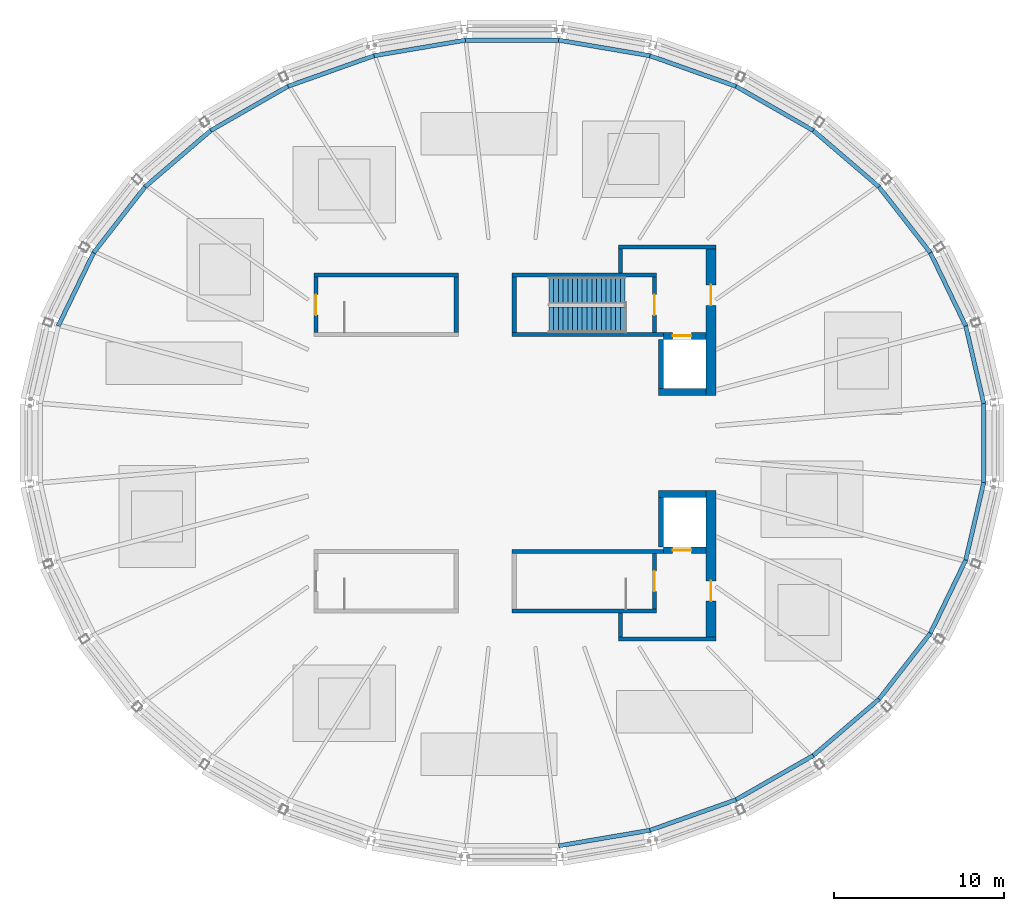
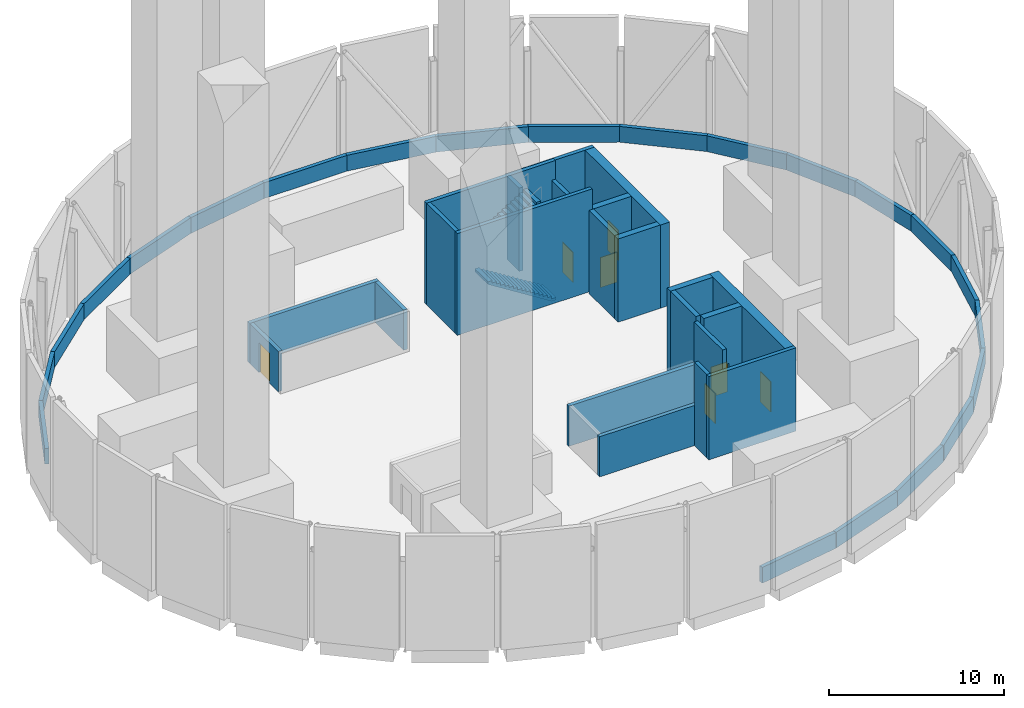
# One storey, part 5 of 7: 44 walls, 7 doors, 2 stair flights, 7 openings, 1 element without a shape of its own.
"""IFC4 building model written with IfcOpenShell, lengths in metres."""

import ifcopenshell
import ifcopenshell.guid

model = None  # the IFC model being written
_history = None  # IfcOwnerHistory: only IFC2X3 demands one
_inside = {}  # id of a spatial element -> (the spatial element, [elements in it])
_under = {}  # id of a project, library or spatial element -> (it, [spatial elements below it])
_declared = {}  # id of a project -> (the project, [libraries it declares])
_typed = {}  # id of a type object -> (the type object, [elements of that type])
_made_of = {}  # id of a material, layer set ... -> (it, [elements and type objects made of it])


def new_model(schema):
    """Start an empty IFC model of exactly this schema.

    Asked for "IFC4X3", IfcOpenShell would pick the latest addendum, in which some entities
    have other attributes; the version numbers below select the first issue.
    IFC2X3 requires an IfcOwnerHistory on every rooted entity: one is made here for all.
    """
    global model, _history
    if schema == "IFC4X3":
        model = ifcopenshell.file(schema_version=(4, 3, 0, 0))
    else:
        model = ifcopenshell.file(schema=schema)
    _inside.clear()
    _under.clear()
    _declared.clear()
    _typed.clear()
    _made_of.clear()
    _history = None
    if model.schema == "IFC2X3":
        org = make("IfcOrganization", Name="unknown")
        user = make(
            "IfcPersonAndOrganization",
            ThePerson=make("IfcPerson", FamilyName="unknown"),
            TheOrganization=org,
        )
        app = make(
            "IfcApplication",
            ApplicationDeveloper=org,
            Version="unknown",
            ApplicationFullName="unknown",
            ApplicationIdentifier="unknown",
        )
        _history = make(
            "IfcOwnerHistory",
            OwningUser=user,
            OwningApplication=app,
            ChangeAction="ADDED",
            CreationDate=0,
        )
    return model


def make(cls, **values):
    """One entity of the class cls with the attributes given. An attribute that is None is left unset."""
    return model.create_entity(
        cls, **{name: value for name, value in values.items() if value is not None}
    )


def rooted(cls, **values):
    """An entity with a GlobalId (a new one), such as an element, a storey or a relation."""
    return make(cls, GlobalId=ifcopenshell.guid.new(), OwnerHistory=_history, **values)


def si_unit(unit_type, name, prefix=None):
    """IfcSIUnit, for example si_unit("LENGTHUNIT", "METRE", prefix="MILLI")."""
    return make("IfcSIUnit", UnitType=unit_type, Prefix=prefix, Name=name)


def assignment(units):
    """IfcUnitAssignment: the units of a project."""
    return None if units is None else make("IfcUnitAssignment", Units=units)


def point(xyz):
    """IfcCartesianPoint."""
    return None if xyz is None else make("IfcCartesianPoint", Coordinates=xyz)


def direction(xyz):
    """IfcDirection."""
    return None if xyz is None else make("IfcDirection", DirectionRatios=xyz)


def frame(location, z_axis=None, x_axis=None):
    """IfcAxis2Placement3D, a coordinate frame: its origin and axes. An axis left out is left unset."""
    return make(
        "IfcAxis2Placement3D",
        Location=point(location),
        Axis=direction(z_axis),
        RefDirection=direction(x_axis),
    )


def frame_2d(location, x_axis=None):
    """IfcAxis2Placement2D, a coordinate frame in the plane: its origin and x axis."""
    return make(
        "IfcAxis2Placement2D", Location=point(location), RefDirection=direction(x_axis)
    )


def origin():
    """The frame at (0, 0, 0) with its axes left unset."""
    return frame((0.0, 0.0, 0.0))


def place(relative_to, where):
    """IfcLocalPlacement: puts the frame where relative to a parent placement (None: the world)."""
    return make(
        "IfcLocalPlacement", PlacementRelTo=relative_to, RelativePlacement=where
    )


def context(
    kind, dimensions, precision=None, world=None, true_north=None, identifier=None
):
    """IfcGeometricRepresentationContext, for example the 3D "Model" context."""
    return make(
        "IfcGeometricRepresentationContext",
        ContextIdentifier=identifier,
        ContextType=kind,
        CoordinateSpaceDimension=dimensions,
        Precision=precision,
        WorldCoordinateSystem=world,
        TrueNorth=true_north,
    )


def subcontext(parent, identifier, kind, view, scale=None):
    """IfcGeometricRepresentationSubContext, for example "Body" below "Model"."""
    return make(
        "IfcGeometricRepresentationSubContext",
        ContextIdentifier=identifier,
        ContextType=kind,
        ParentContext=parent,
        TargetScale=scale,
        TargetView=view,
    )


def project(units=None, contexts=None):
    """IfcProject with its units and contexts."""
    return rooted(
        "IfcProject",
        Name="project",
        RepresentationContexts=contexts,
        UnitsInContext=assignment(units),
    )


def spatial(cls, under=None, at=None, **own):
    """A site, building, storey or space (cls), placed at a placement, below another one or the project."""
    s = rooted(cls, ObjectPlacement=at, **own)
    if under is not None:
        _under.setdefault(under.id(), (under, []))[1].append(s)
    return s


def polyline(points):
    """IfcPolyline through the points."""
    return make("IfcPolyline", Points=[point(p) for p in points])


def profile(cls, at=None, kind="AREA", **sizes):
    """A parametric profile (cls). Its sizes go by their IFC names, for example OverallWidth=200.0."""
    return make(cls, ProfileType=kind, Position=at, **sizes)


def rectangle(**sizes):
    """IfcRectangleProfileDef."""
    return profile("IfcRectangleProfileDef", **sizes)


def outline(outer, holes=None, kind="AREA"):
    """IfcArbitraryClosedProfileDef: a profile drawn as a closed curve; with holes, ...WithVoids."""
    if holes is None:
        return make("IfcArbitraryClosedProfileDef", ProfileType=kind, OuterCurve=outer)
    return make(
        "IfcArbitraryProfileDefWithVoids",
        ProfileType=kind,
        OuterCurve=outer,
        InnerCurves=holes,
    )


def extrude(swept, where, along, depth):
    """IfcExtrudedAreaSolid: the profile swept, set in the frame where, extruded along a direction by depth."""
    return make(
        "IfcExtrudedAreaSolid",
        SweptArea=swept,
        Position=where,
        ExtrudedDirection=direction(along),
        Depth=depth,
    )


def shape(context_of_items, identifier, shape_type, items):
    """IfcShapeRepresentation: the items that make up one representation, for example the "Body"."""
    return make(
        "IfcShapeRepresentation",
        ContextOfItems=context_of_items,
        RepresentationIdentifier=identifier,
        RepresentationType=shape_type,
        Items=items,
    )


def material(Name=None, Category=None):
    """IfcMaterial."""
    return make("IfcMaterial", Name=Name, Category=Category)


def layer(
    of_material, thickness, ventilated=None, Name=None, Category=None, Priority=None
):
    """IfcMaterialLayer: one layer of a wall or slab, of a material (None: an air gap)."""
    return make(
        "IfcMaterialLayer",
        Material=of_material,
        LayerThickness=thickness,
        IsVentilated=ventilated,
        Name=Name,
        Category=Category,
        Priority=Priority,
    )


def layer_set(layers, Name=None):
    """IfcMaterialLayerSet."""
    return make("IfcMaterialLayerSet", MaterialLayers=layers, LayerSetName=Name)


def made_of(thing, what):
    """Note that an element or type object is made of a material, layer set ...; save() writes the relation."""
    if what is not None:
        _made_of.setdefault(what.id(), (what, []))[1].append(thing)
    return thing


def type_object(cls, material=None, **own):
    """A type object (cls), such as IfcWallType, which elements share."""
    return made_of(rooted(cls, **own), material)


def element(
    cls,
    number,
    at=None,
    inside=None,
    cuts=None,
    type_object=None,
    material=None,
    context=None,
    identifier="Body",
    shape_type=None,
    held_by="IfcProductDefinitionShape",
    body=None,
    shapes=None,
    **own,
):
    """One element of the class cls, such as IfcWall. Its Tag is "e" and its number.

    at: its placement. inside: the storey or other place that contains it. cuts: it is an
    opening in that element (IfcRelVoidsElement). A single representation is given by context,
    identifier, shape_type and body (its items); several are given by shapes. held_by: the class
    of the entity that holds the representations. save() writes the other relations.
    """
    e = rooted(cls, Tag="e%d" % number, ObjectPlacement=at, **own)
    if body is not None:
        shapes = [shape(context, identifier, shape_type, body)]
    if shapes is not None:
        e.Representation = make(held_by, Representations=shapes)
    if inside is not None:
        _inside.setdefault(inside.id(), (inside, []))[1].append(e)
    if cuts is not None:
        rooted(
            "IfcRelVoidsElement", RelatingBuildingElement=cuts, RelatedOpeningElement=e
        )
    if type_object is not None:
        _typed.setdefault(type_object.id(), (type_object, []))[1].append(e)
    return made_of(e, material)


def fill(opening, filler):
    """IfcRelFillsElement: the door or window that sits in an opening."""
    return rooted(
        "IfcRelFillsElement",
        RelatingOpeningElement=opening,
        RelatedBuildingElement=filler,
    )


def aggregate(whole, parts):
    """IfcRelAggregates: a whole, such as a stair, and the parts it consists of."""
    return rooted("IfcRelAggregates", RelatingObject=whole, RelatedObjects=parts)


def save(model, path):
    """Write the relations noted so far, then the file.

    IfcRelAggregates (storeys below a building ...), IfcRelContainedInSpatialStructure (elements
    in a storey), IfcRelDefinesByType, IfcRelAssociatesMaterial and IfcRelDeclares: one each for
    every whole, place, type object, material and project.
    """
    for whole, parts in _under.values():
        aggregate(whole, parts)
    for where, things in _inside.values():
        rooted(
            "IfcRelContainedInSpatialStructure",
            RelatedElements=things,
            RelatingStructure=where,
        )
    for kind, things in _typed.values():
        rooted("IfcRelDefinesByType", RelatedObjects=things, RelatingType=kind)
    for what, things in _made_of.values():
        rooted("IfcRelAssociatesMaterial", RelatedObjects=things, RelatingMaterial=what)
    for by, libraries in _declared.values():
        rooted("IfcRelDeclares", RelatingContext=by, RelatedDefinitions=libraries)
    model.write(path)


model = new_model("IFC4")

# Units and contexts
model_context = context("Model", 3, precision=1e-05, world=origin(), true_north=direction((0.0, 1.0)))
body_context = subcontext(model_context, "Body", "Model", "MODEL_VIEW")
ifc_project = project(units=[si_unit("LENGTHUNIT", "METRE"), si_unit("AREAUNIT", "SQUARE_METRE"), si_unit("VOLUMEUNIT", "CUBIC_METRE"), si_unit("PLANEANGLEUNIT", "RADIAN"), si_unit("MASSUNIT", "GRAM", prefix="KILO")], contexts=[model_context])

# Site, building, storey
site_placement = place(None, origin())
site = spatial("IfcSite", under=ifc_project, at=site_placement, CompositionType="ELEMENT")
building_placement = place(site_placement, origin())
building = spatial("IfcBuilding", under=site, at=building_placement, Name="Halqa Exchange Tower", CompositionType="ELEMENT")
storey_placement = place(building_placement, frame((0.0, 0.0, 349.300048828125)))
storey = spatial("IfcBuildingStorey", under=building, at=storey_placement, Name="Roof crown", CompositionType="ELEMENT", Elevation=349.300048828125)

# Wall
ifc_material_1 = material(Name="Concrete C60/75", Category="concrete")
ifc_layer_1 = layer(ifc_material_1, 0.25)
ifc_layer_set_1 = layer_set([ifc_layer_1], Name="Concrete C60/75")
wall_type_1 = type_object("IfcWallType", Name="RC penthouse wall 250 C60/75", PredefinedType="SHEAR", material=ifc_layer_set_1)
wall_1_placement = place(storey_placement, frame((-11.64990234375, 9.875, 0.0), z_axis=(0.0, 0.0, 1.0), x_axis=(1.0, 0.0, 0.0)))
element("IfcWall", 1, at=wall_1_placement, inside=storey, type_object=wall_type_1, Name="Head-house ST1 wall north", PredefinedType="SHEAR", context=body_context, shape_type="SweptSolid", body=[
    extrude(rectangle(XDim=8.5, YDim=0.25, at=frame_2d((4.25, 0.0))), origin(), (0.0, 0.0, 1.0), 2.800048828125),
])

# Wall, opening, door
wall_2_placement = place(storey_placement, frame((-11.52490234375, 6.5, 0.0), z_axis=(0.0, 0.0, 1.0), x_axis=(0.0, 1.0, 0.0)))
wall_2 = element("IfcWall", 2, at=wall_2_placement, inside=storey, type_object=wall_type_1, Name="Head-house ST1 wall west", PredefinedType="SHEAR", context=body_context, shape_type="SweptSolid", body=[
    extrude(rectangle(XDim=3.25, YDim=0.25, at=frame_2d((1.625, 0.0))), origin(), (0.0, 0.0, 1.0), 2.800048828125),
])
opening_1_placement = place(wall_2_placement, frame((1.02490234375, 0.0, 0.0)))
opening_1 = element("IfcOpeningElement", 3, at=opening_1_placement, cuts=wall_2, Name="Opening RF-C03", PredefinedType="OPENING", context=body_context, shape_type="SweptSolid", body=[
    extrude(rectangle(XDim=1.199951171875, YDim=2.10009765625, at=frame_2d((0.60009765625, 1.050048828125))), frame((0.0, 0.136962890625, 0.0), z_axis=(0.0, -1.0, 0.0), x_axis=(1.0, 0.0, 0.0)), (0.0, 0.0, 1.0), 0.27392578125),
])
ifc_material_2 = material(Name="Steel fire door leaf", Category="steel")
door_type_1 = type_object("IfcDoorType", Name="Stair door FD90 1200 x 2100", OperationType="SINGLE_SWING_LEFT", PredefinedType="DOOR", material=ifc_material_2)
door_1_placement = place(opening_1_placement, frame((1.199951171875, 0.0, 0.0), z_axis=(0.0, 0.0, 1.0), x_axis=(-1.0, 0.0, 0.0)))
door_1 = element("IfcDoor", 4, at=door_1_placement, inside=storey, type_object=door_type_1, Name="Stair door HH", OperationType="SINGLE_SWING_RIGHT", OverallHeight=2.10009765625, OverallWidth=1.199951171875, PredefinedType="DOOR", context=body_context, shape_type="SweptSolid", body=[
    extrude(rectangle(XDim=1.199951171875, YDim=2.10009765625, at=frame_2d((0.60009765625, 1.050048828125))), frame((0.0, 0.02490234375, 0.0), z_axis=(0.0, -1.0, 0.0), x_axis=(1.0, 0.0, 0.0)), (0.0, 0.0, 1.0), 0.050048828125),
])
fill(opening_1, door_1)

# Walls
wall_3_placement = place(storey_placement, frame((-3.27490234375, 6.5, 0.0), z_axis=(0.0, 0.0, 1.0), x_axis=(0.0, 1.0, 0.0)))
element("IfcWall", 5, at=wall_3_placement, inside=storey, type_object=wall_type_1, Name="Head-house ST1 wall east", PredefinedType="SHEAR", context=body_context, shape_type="SweptSolid", body=[
    extrude(rectangle(XDim=3.25, YDim=0.25, at=frame_2d((1.625, 0.0))), origin(), (0.0, 0.0, 1.0), 2.800048828125),
])
wall_4_placement = place(storey_placement, frame((0.0, 9.875, 0.0), z_axis=(0.0, 0.0, 1.0), x_axis=(1.0, 0.0, 0.0)))
element("IfcWall", 6, at=wall_4_placement, inside=storey, type_object=wall_type_1, Name="Head-house ST2 wall north", PredefinedType="SHEAR", context=body_context, shape_type="SweptSolid", body=[
    extrude(rectangle(XDim=8.5, YDim=0.25, at=frame_2d((4.25, 0.0))), origin(), (0.0, 0.0, 1.0), 7.099853515625),
])
wall_5_placement = place(storey_placement, frame((0.0, 6.375, 0.0), z_axis=(0.0, 0.0, 1.0), x_axis=(1.0, 0.0, 0.0)))
element("IfcWall", 7, at=wall_5_placement, inside=storey, type_object=wall_type_1, Name="Head-house ST2 wall south", PredefinedType="SHEAR", context=body_context, shape_type="SweptSolid", body=[
    extrude(rectangle(XDim=8.89990234375, YDim=0.25, at=frame_2d((4.449951171875, 0.0))), origin(), (0.0, 0.0, 1.0), 7.099853515625),
])
wall_6_placement = place(storey_placement, frame((0.125, 6.5, 0.0), z_axis=(0.0, 0.0, 1.0), x_axis=(0.0, 1.0, 0.0)))
element("IfcWall", 8, at=wall_6_placement, inside=storey, type_object=wall_type_1, Name="Head-house ST2 wall west", PredefinedType="SHEAR", context=body_context, shape_type="SweptSolid", body=[
    extrude(rectangle(XDim=3.25, YDim=0.25, at=frame_2d((1.625, 0.0))), origin(), (0.0, 0.0, 1.0), 7.099853515625),
])

# Wall, opening, door
wall_7_placement = place(storey_placement, frame((8.375, 6.5, 0.0), z_axis=(0.0, 0.0, 1.0), x_axis=(0.0, 1.0, 0.0)))
wall_7 = element("IfcWall", 9, at=wall_7_placement, inside=storey, type_object=wall_type_1, Name="Head-house ST2 wall east", PredefinedType="SHEAR", context=body_context, shape_type="SweptSolid", body=[
    extrude(rectangle(XDim=3.25, YDim=0.25, at=frame_2d((1.625, 0.0))), origin(), (0.0, 0.0, 1.0), 5.800048828125),
])
opening_2_placement = place(wall_7_placement, frame((1.02490234375, 0.0, 0.0)))
opening_2 = element("IfcOpeningElement", 10, at=opening_2_placement, cuts=wall_7, Name="Opening RF-C04", PredefinedType="OPENING", context=body_context, shape_type="SweptSolid", body=[
    extrude(rectangle(XDim=1.199951171875, YDim=2.10009765625, at=frame_2d((0.60009765625, 1.050048828125))), frame((0.0, 0.136962890625, 0.0), z_axis=(0.0, -1.0, 0.0), x_axis=(1.0, 0.0, 0.0)), (0.0, 0.0, 1.0), 0.27392578125),
])
door_2_placement = place(opening_2_placement, origin())
door_2 = element("IfcDoor", 11, at=door_2_placement, inside=storey, type_object=door_type_1, Name="Stair door HH", OperationType="SINGLE_SWING_RIGHT", OverallHeight=2.10009765625, OverallWidth=1.199951171875, PredefinedType="DOOR", context=body_context, shape_type="SweptSolid", body=[
    extrude(rectangle(XDim=1.199951171875, YDim=2.10009765625, at=frame_2d((0.60009765625, 1.050048828125))), frame((0.0, 0.02490234375, 0.0), z_axis=(0.0, -1.0, 0.0), x_axis=(1.0, 0.0, 0.0)), (0.0, 0.0, 1.0), 0.050048828125),
])
fill(opening_2, door_2)

# Walls
wall_8_placement = place(storey_placement, frame((0.0, -6.375, 0.0), z_axis=(0.0, 0.0, 1.0), x_axis=(1.0, 0.0, 0.0)))
element("IfcWall", 12, at=wall_8_placement, inside=storey, type_object=wall_type_1, Name="Head-house ST4 wall north", PredefinedType="SHEAR", context=body_context, shape_type="SweptSolid", body=[
    extrude(rectangle(XDim=8.89990234375, YDim=0.25, at=frame_2d((4.449951171875, 0.0))), origin(), (0.0, 0.0, 1.0), 2.800048828125),
])
wall_9_placement = place(storey_placement, frame((0.0, -9.875, 0.0), z_axis=(0.0, 0.0, 1.0), x_axis=(1.0, 0.0, 0.0)))
element("IfcWall", 13, at=wall_9_placement, inside=storey, type_object=wall_type_1, Name="Head-house ST4 wall south", PredefinedType="SHEAR", context=body_context, shape_type="SweptSolid", body=[
    extrude(rectangle(XDim=8.5, YDim=0.25, at=frame_2d((4.25, 0.0))), origin(), (0.0, 0.0, 1.0), 2.800048828125),
])

# Wall, opening, door
wall_10_placement = place(storey_placement, frame((8.375, -9.75, 0.0), z_axis=(0.0, 0.0, 1.0), x_axis=(0.0, 1.0, 0.0)))
wall_10 = element("IfcWall", 14, at=wall_10_placement, inside=storey, type_object=wall_type_1, Name="Head-house ST4 wall east", PredefinedType="SHEAR", context=body_context, shape_type="SweptSolid", body=[
    extrude(rectangle(XDim=3.25, YDim=0.25, at=frame_2d((1.625, 0.0))), origin(), (0.0, 0.0, 1.0), 5.800048828125),
])
opening_3_placement = place(wall_10_placement, frame((1.02490234375, 0.0, 0.0)))
opening_3 = element("IfcOpeningElement", 15, at=opening_3_placement, cuts=wall_10, Name="Opening RF-C06", PredefinedType="OPENING", context=body_context, shape_type="SweptSolid", body=[
    extrude(rectangle(XDim=1.199951171875, YDim=2.10009765625, at=frame_2d((0.60009765625, 1.050048828125))), frame((0.0, 0.136962890625, 0.0), z_axis=(0.0, -1.0, 0.0), x_axis=(1.0, 0.0, 0.0)), (0.0, 0.0, 1.0), 0.27392578125),
])
door_3_placement = place(opening_3_placement, origin())
door_3 = element("IfcDoor", 16, at=door_3_placement, inside=storey, type_object=door_type_1, Name="Stair door HH", OperationType="SINGLE_SWING_RIGHT", OverallHeight=2.10009765625, OverallWidth=1.199951171875, PredefinedType="DOOR", context=body_context, shape_type="SweptSolid", body=[
    extrude(rectangle(XDim=1.199951171875, YDim=2.10009765625, at=frame_2d((0.60009765625, 1.050048828125))), frame((0.0, 0.02490234375, 0.0), z_axis=(0.0, -1.0, 0.0), x_axis=(1.0, 0.0, 0.0)), (0.0, 0.0, 1.0), 0.050048828125),
])
fill(opening_3, door_3)

# Walls
wall_11_placement = place(storey_placement, frame((6.25, 11.52490234375, 0.0), z_axis=(0.0, 0.0, 1.0), x_axis=(1.0, 0.0, 0.0)))
element("IfcWall", 17, at=wall_11_placement, inside=storey, type_object=wall_type_1, Name="Penthouse north outer wall", PredefinedType="SHEAR", context=body_context, shape_type="SweptSolid", body=[
    extrude(rectangle(XDim=5.75, YDim=0.25, at=frame_2d((2.875, 0.0))), origin(), (0.0, 0.0, 1.0), 5.800048828125),
])
wall_12_placement = place(storey_placement, frame((6.375, 10.0, 0.0), z_axis=(0.0, 0.0, 1.0), x_axis=(0.0, 1.0, 0.0)))
element("IfcWall", 18, at=wall_12_placement, inside=storey, type_object=wall_type_1, Name="Penthouse north west wall", PredefinedType="SHEAR", context=body_context, shape_type="SweptSolid", body=[
    extrude(rectangle(XDim=1.39990234375, YDim=0.25, at=frame_2d((0.699951171875, 0.0))), origin(), (0.0, 0.0, 1.0), 5.800048828125),
])
wall_13_placement = place(storey_placement, frame((6.25, -11.52490234375, 0.0), z_axis=(0.0, 0.0, 1.0), x_axis=(1.0, 0.0, 0.0)))
element("IfcWall", 19, at=wall_13_placement, inside=storey, type_object=wall_type_1, Name="Penthouse south outer wall", PredefinedType="SHEAR", context=body_context, shape_type="SweptSolid", body=[
    extrude(rectangle(XDim=5.75, YDim=0.25, at=frame_2d((2.875, 0.0))), origin(), (0.0, 0.0, 1.0), 5.800048828125),
])
wall_14_placement = place(storey_placement, frame((6.375, -11.39990234375, 0.0), z_axis=(0.0, 0.0, 1.0), x_axis=(0.0, 1.0, 0.0)))
element("IfcWall", 20, at=wall_14_placement, inside=storey, type_object=wall_type_1, Name="Penthouse south west wall", PredefinedType="SHEAR", context=body_context, shape_type="SweptSolid", body=[
    extrude(rectangle(XDim=1.39990234375, YDim=0.25, at=frame_2d((0.699951171875, 0.0))), origin(), (0.0, 0.0, 1.0), 5.800048828125),
])
ifc_layer_2 = layer(ifc_material_1, 0.300048828125)
ifc_layer_set_2 = layer_set([ifc_layer_2], Name="Concrete C60/75")
wall_type_2 = type_object("IfcWallType", Name="RC penthouse wall 300 C60/75", PredefinedType="SHEAR", material=ifc_layer_set_2)
for number, where, z_axis, x_axis, name in (
    (21, (8.75, 3.199951171875, 0.0), (0.0, 0.0, 1.0), (0.0, 1.0, 0.0), "Penthouse divider N"),
    (22, (8.75, -6.10009765625, 0.0), (0.0, 0.0, 1.0), (0.0, 1.0, 0.0), "Penthouse divider S"),
):
    element("IfcWall", number, at=place(storey_placement, frame(where, z_axis=z_axis, x_axis=x_axis)), inside=storey, type_object=wall_type_2, Name=name, PredefinedType="SHEAR", context=body_context, shape_type="SweptSolid", body=[
        extrude(rectangle(XDim=2.900146484375, YDim=0.300048828125, at=frame_2d((1.4501953125, 0.0))), origin(), (0.0, 0.0, 1.0), 5.800048828125),
    ])
ifc_layer_3 = layer(ifc_material_1, 0.39990234375)
ifc_layer_set_3 = layer_set([ifc_layer_3], Name="Concrete C60/75")
wall_type_3 = type_object("IfcWallType", Name="RC penthouse wall 400 C60/75", PredefinedType="SHEAR", material=ifc_layer_set_3)
wall_15_placement = place(storey_placement, frame((8.60009765625, 3.0, 0.0), z_axis=(0.0, 0.0, 1.0), x_axis=(1.0, 0.0, 0.0)))
element("IfcWall", 23, at=wall_15_placement, inside=storey, type_object=wall_type_3, Name="Lift row front wall N", PredefinedType="SHEAR", context=body_context, shape_type="SweptSolid", body=[
    extrude(rectangle(XDim=2.7998046875, YDim=0.39990234375, at=frame_2d((1.39990234375, 0.0))), origin(), (0.0, 0.0, 1.0), 5.800048828125),
])

# Wall, opening, door
wall_16_placement = place(storey_placement, frame((8.89990234375, 6.300048828125, 0.0), z_axis=(0.0, 0.0, 1.0), x_axis=(1.0, 0.0, 0.0)))
wall_16 = element("IfcWall", 24, at=wall_16_placement, inside=storey, type_object=wall_type_3, Name="Lift row back wall N", PredefinedType="SHEAR", context=body_context, shape_type="SweptSolid", body=[
    extrude(rectangle(XDim=2.5, YDim=0.39990234375, at=frame_2d((1.25, 0.0))), origin(), (0.0, 0.0, 1.0), 5.800048828125),
])
opening_4_placement = place(wall_16_placement, frame((0.550048828125, 0.0, 0.0)))
opening_4 = element("IfcOpeningElement", 25, at=opening_4_placement, cuts=wall_16, Name="Opening LD-FF1-RF", PredefinedType="OPENING", context=body_context, shape_type="SweptSolid", body=[
    extrude(rectangle(XDim=1.10009765625, YDim=2.10009765625, at=frame_2d((0.550048828125, 1.050048828125))), frame((0.0, 0.2119140625, 0.0), z_axis=(0.0, -1.0, 0.0), x_axis=(1.0, 0.0, 0.0)), (0.0, 0.0, 1.0), 0.423828125),
])
ifc_material_3 = material(Name="Stainless steel", Category="steel")
door_type_2 = type_object("IfcDoorType", Name="Lift landing door 1100 x 2100", OperationType="SLIDING_TO_LEFT", PredefinedType="DOOR", material=ifc_material_3)
door_4_placement = place(opening_4_placement, origin())
door_4 = element("IfcDoor", 26, at=door_4_placement, inside=storey, type_object=door_type_2, Name="Lift landing door FF1", OperationType="SLIDING_TO_LEFT", OverallHeight=2.10009765625, OverallWidth=1.10009765625, PredefinedType="DOOR", context=body_context, shape_type="SweptSolid", body=[
    extrude(rectangle(XDim=1.10009765625, YDim=2.10009765625, at=frame_2d((0.550048828125, 1.050048828125))), frame((0.0, 0.02490234375, 0.0), z_axis=(0.0, -1.0, 0.0), x_axis=(1.0, 0.0, 0.0)), (0.0, 0.0, 1.0), 0.050048828125),
])
fill(opening_4, door_4)

# Wall
wall_17_placement = place(storey_placement, frame((8.60009765625, -3.0, 0.0), z_axis=(0.0, 0.0, 1.0), x_axis=(1.0, 0.0, 0.0)))
element("IfcWall", 27, at=wall_17_placement, inside=storey, type_object=wall_type_3, Name="Lift row front wall S", PredefinedType="SHEAR", context=body_context, shape_type="SweptSolid", body=[
    extrude(rectangle(XDim=2.7998046875, YDim=0.39990234375, at=frame_2d((1.39990234375, 0.0))), origin(), (0.0, 0.0, 1.0), 5.800048828125),
])

# Wall, opening, door
wall_18_placement = place(storey_placement, frame((8.89990234375, -6.300048828125, 0.0), z_axis=(0.0, 0.0, 1.0), x_axis=(1.0, 0.0, 0.0)))
wall_18 = element("IfcWall", 28, at=wall_18_placement, inside=storey, type_object=wall_type_3, Name="Lift row back wall S", PredefinedType="SHEAR", context=body_context, shape_type="SweptSolid", body=[
    extrude(rectangle(XDim=2.5, YDim=0.39990234375, at=frame_2d((1.25, 0.0))), origin(), (0.0, 0.0, 1.0), 5.800048828125),
])
opening_5_placement = place(wall_18_placement, frame((0.550048828125, 0.0, 0.0)))
opening_5 = element("IfcOpeningElement", 29, at=opening_5_placement, cuts=wall_18, Name="Opening LD-FF2-RF", PredefinedType="OPENING", context=body_context, shape_type="SweptSolid", body=[
    extrude(rectangle(XDim=1.10009765625, YDim=2.10009765625, at=frame_2d((0.550048828125, 1.050048828125))), frame((0.0, 0.2119140625, 0.0), z_axis=(0.0, -1.0, 0.0), x_axis=(1.0, 0.0, 0.0)), (0.0, 0.0, 1.0), 0.423828125),
])
door_5_placement = place(opening_5_placement, origin())
door_5 = element("IfcDoor", 30, at=door_5_placement, inside=storey, type_object=door_type_2, Name="Lift landing door FF2", OperationType="SLIDING_TO_LEFT", OverallHeight=2.10009765625, OverallWidth=1.10009765625, PredefinedType="DOOR", context=body_context, shape_type="SweptSolid", body=[
    extrude(rectangle(XDim=1.10009765625, YDim=2.10009765625, at=frame_2d((0.550048828125, 1.050048828125))), frame((0.0, 0.02490234375, 0.0), z_axis=(0.0, -1.0, 0.0), x_axis=(1.0, 0.0, 0.0)), (0.0, 0.0, 1.0), 0.050048828125),
])
fill(opening_5, door_5)

ifc_layer_4 = layer(ifc_material_1, 0.60009765625)
ifc_layer_set_4 = layer_set([ifc_layer_4], Name="Concrete C60/75")
wall_type_4 = type_object("IfcWallType", Name="RC penthouse wall 600 C60/75", PredefinedType="SHEAR", material=ifc_layer_set_4)
wall_19_placement = place(storey_placement, frame((11.699951171875, 2.800048828125, 0.0), z_axis=(0.0, 0.0, 1.0), x_axis=(0.0, 1.0, 0.0)))
wall_19 = element("IfcWall", 31, at=wall_19_placement, inside=storey, type_object=wall_type_4, Name="Penthouse north east wall", PredefinedType="SHEAR", context=body_context, shape_type="SweptSolid", body=[
    extrude(rectangle(XDim=8.599853515625, YDim=0.60009765625, at=frame_2d((4.2998046875, 0.0))), origin(), (0.0, 0.0, 1.0), 5.800048828125),
])
opening_6_placement = place(wall_19_placement, frame((5.300048828125, 0.0, 0.0)))
opening_6 = element("IfcOpeningElement", 32, at=opening_6_placement, cuts=wall_19, Name="Opening RF-C07", PredefinedType="OPENING", context=body_context, shape_type="SweptSolid", body=[
    extrude(rectangle(XDim=1.199951171875, YDim=2.10009765625, at=frame_2d((0.60009765625, 1.050048828125))), frame((0.0, 0.31201171875, 0.0), z_axis=(0.0, -1.0, 0.0), x_axis=(1.0, 0.0, 0.0)), (0.0, 0.0, 1.0), 0.6240234375),
])
door_type_3 = type_object("IfcDoorType", Name="Firefighting lobby door FD90 1200 x 2100", OperationType="SINGLE_SWING_RIGHT", PredefinedType="DOOR", material=ifc_material_2)
door_6_placement = place(opening_6_placement, origin())
door_6 = element("IfcDoor", 33, at=door_6_placement, inside=storey, type_object=door_type_3, Name="Firefighting lobby door", OperationType="SINGLE_SWING_RIGHT", OverallHeight=2.10009765625, OverallWidth=1.199951171875, PredefinedType="DOOR", context=body_context, shape_type="SweptSolid", body=[
    extrude(rectangle(XDim=1.199951171875, YDim=2.10009765625, at=frame_2d((0.60009765625, 1.050048828125))), frame((0.0, 0.02490234375, 0.0), z_axis=(0.0, -1.0, 0.0), x_axis=(1.0, 0.0, 0.0)), (0.0, 0.0, 1.0), 0.050048828125),
])
fill(opening_6, door_6)

wall_20_placement = place(storey_placement, frame((11.699951171875, -11.39990234375, 0.0), z_axis=(0.0, 0.0, 1.0), x_axis=(0.0, 1.0, 0.0)))
wall_20 = element("IfcWall", 34, at=wall_20_placement, inside=storey, type_object=wall_type_4, Name="Penthouse south east wall", PredefinedType="SHEAR", context=body_context, shape_type="SweptSolid", body=[
    extrude(rectangle(XDim=8.599853515625, YDim=0.60009765625, at=frame_2d((4.2998046875, 0.0))), origin(), (0.0, 0.0, 1.0), 5.800048828125),
])
opening_7_placement = place(wall_20_placement, frame((2.10009765625, 0.0, 0.0)))
opening_7 = element("IfcOpeningElement", 35, at=opening_7_placement, cuts=wall_20, Name="Opening RF-C08", PredefinedType="OPENING", context=body_context, shape_type="SweptSolid", body=[
    extrude(rectangle(XDim=1.199951171875, YDim=2.10009765625, at=frame_2d((0.60009765625, 1.050048828125))), frame((0.0, 0.31201171875, 0.0), z_axis=(0.0, -1.0, 0.0), x_axis=(1.0, 0.0, 0.0)), (0.0, 0.0, 1.0), 0.6240234375),
])
door_7_placement = place(opening_7_placement, origin())
door_7 = element("IfcDoor", 36, at=door_7_placement, inside=storey, type_object=door_type_3, Name="Firefighting lobby door", OperationType="SINGLE_SWING_LEFT", OverallHeight=2.10009765625, OverallWidth=1.199951171875, PredefinedType="DOOR", context=body_context, shape_type="SweptSolid", body=[
    extrude(rectangle(XDim=1.199951171875, YDim=2.10009765625, at=frame_2d((0.60009765625, 1.050048828125))), frame((0.0, 0.02490234375, 0.0), z_axis=(0.0, -1.0, 0.0), x_axis=(1.0, 0.0, 0.0)), (0.0, 0.0, 1.0), 0.050048828125),
])
fill(opening_7, door_7)

# Walls
ifc_material_4 = material(Name="Limestone cladding", Category="masonry")
ifc_layer_5 = layer(ifc_material_4, 0.0400390625)
ifc_material_5 = material(Name="Concrete C40/50 precast", Category="concrete")
ifc_layer_6 = layer(ifc_material_5, 0.179931640625)
ifc_material_6 = material(Name="Mineral wool lining board")
ifc_layer_7 = layer(ifc_material_6, 0.030029296875)
ifc_layer_set_5 = layer_set([ifc_layer_5, ifc_layer_6, ifc_layer_7], Name="Roof parapet 250")
wall_type_5 = type_object("IfcWallType", Name="Roof parapet 250", PredefinedType="PARAPET", material=ifc_layer_set_5)
wall_21_placement = place(storey_placement, frame((27.73779296875, 2.32275390625, 0.0), z_axis=(0.0, 0.0, 1.0), x_axis=(-0.226066955378, 0.9741117655, 0.0)))
element("IfcWall", 37, at=wall_21_placement, inside=storey, type_object=wall_type_5, Name="Roof parapet 1", PredefinedType="PARAPET", context=body_context, shape_type="SweptSolid", body=[
    extrude(rectangle(XDim=4.680419921875, YDim=0.25, at=frame_2d((2.34033203125, 0.0))), origin(), (0.0, 0.0, 1.0), 1.099853515625),
])
wall_22_placement = place(storey_placement, frame((26.6796875, 6.882080078125, 0.0), z_axis=(0.0, 0.0, 1.0), x_axis=(-0.435072002659, 0.900395664418, 0.0)))
element("IfcWall", 38, at=wall_22_placement, inside=storey, type_object=wall_type_5, Name="Roof parapet 2", PredefinedType="PARAPET", context=body_context, shape_type="SweptSolid", body=[
    extrude(rectangle(XDim=4.777587890625, YDim=0.25, at=frame_2d((2.388671875, 0.0))), origin(), (0.0, 0.0, 1.0), 1.099853515625),
])
wall_23_placement = place(storey_placement, frame((24.60107421875, 11.183837890625, 0.0), z_axis=(0.0, 0.0, 1.0), x_axis=(-0.614823200076, 0.788664968569, 0.0)))
element("IfcWall", 39, at=wall_23_placement, inside=storey, type_object=wall_type_5, Name="Roof parapet 3", PredefinedType="PARAPET", context=body_context, shape_type="SweptSolid", body=[
    extrude(rectangle(XDim=4.919677734375, YDim=0.25, at=frame_2d((2.4599609375, 0.0))), origin(), (0.0, 0.0, 1.0), 1.099853515625),
])
wall_24_placement = place(storey_placement, frame((21.576416015625, 15.063720703125, 0.0), z_axis=(0.0, 0.0, 1.0), x_axis=(-0.759266776664, 0.650779503253, 0.0)))
element("IfcWall", 40, at=wall_24_placement, inside=storey, type_object=wall_type_5, Name="Roof parapet 4", PredefinedType="PARAPET", context=body_context, shape_type="SweptSolid", body=[
    extrude(rectangle(XDim=5.08154296875, YDim=0.25, at=frame_2d((2.540771484375, 0.0))), origin(), (0.0, 0.0, 1.0), 1.099853515625),
])
wall_25_placement = place(storey_placement, frame((17.71826171875, 18.37060546875, 0.0), z_axis=(0.0, 0.0, 1.0), x_axis=(-0.867757998812, 0.496986977191, 0.0)))
element("IfcWall", 41, at=wall_25_placement, inside=storey, type_object=wall_type_5, Name="Roof parapet 5", PredefinedType="PARAPET", context=body_context, shape_type="SweptSolid", body=[
    extrude(rectangle(XDim=5.238037109375, YDim=0.25, at=frame_2d((2.619140625, 0.0))), origin(), (0.0, 0.0, 1.0), 1.099853515625),
])
wall_26_placement = place(storey_placement, frame((13.1728515625, 20.973876953125, 0.0), z_axis=(0.0, 0.0, 1.0), x_axis=(-0.942363914416, 0.334589678272, 0.0)))
element("IfcWall", 42, at=wall_26_placement, inside=storey, type_object=wall_type_5, Name="Roof parapet 6", PredefinedType="PARAPET", context=body_context, shape_type="SweptSolid", body=[
    extrude(rectangle(XDim=5.367431640625, YDim=0.25, at=frame_2d((2.68359375, 0.0))), origin(), (0.0, 0.0, 1.0), 1.099853515625),
])
wall_27_placement = place(storey_placement, frame((8.11474609375, 22.769775390625, 0.0), z_axis=(0.0, 0.0, 1.0), x_axis=(-0.985775899295, 0.168065095628, 0.0)))
element("IfcWall", 43, at=wall_27_placement, inside=storey, type_object=wall_type_5, Name="Roof parapet 7", PredefinedType="PARAPET", context=body_context, shape_type="SweptSolid", body=[
    extrude(rectangle(XDim=5.451904296875, YDim=0.25, at=frame_2d((2.72607421875, 0.0))), origin(), (0.0, 0.0, 1.0), 1.099853515625),
])
wall_28_placement = place(storey_placement, frame((2.740478515625, 23.68603515625, 0.0), z_axis=(0.0, 0.0, 1.0), x_axis=(-1.0, 0.0, 0.0)))
element("IfcWall", 44, at=wall_28_placement, inside=storey, type_object=wall_type_5, Name="Roof parapet 8", PredefinedType="PARAPET", context=body_context, shape_type="SweptSolid", body=[
    extrude(rectangle(XDim=5.48095703125, YDim=0.25, at=frame_2d((2.740478515625, 0.0))), origin(), (0.0, 0.0, 1.0), 1.099853515625),
])
wall_29_placement = place(storey_placement, frame((-2.740478515625, 23.68603515625, 0.0), z_axis=(0.0, 0.0, 1.0), x_axis=(-0.985775899295, -0.168065095628, 0.0)))
element("IfcWall", 45, at=wall_29_placement, inside=storey, type_object=wall_type_5, Name="Roof parapet 9", PredefinedType="PARAPET", context=body_context, shape_type="SweptSolid", body=[
    extrude(rectangle(XDim=5.451904296875, YDim=0.25, at=frame_2d((2.72607421875, 0.0))), origin(), (0.0, 0.0, 1.0), 1.099853515625),
])
wall_30_placement = place(storey_placement, frame((-8.11474609375, 22.769775390625, 0.0), z_axis=(0.0, 0.0, 1.0), x_axis=(-0.942363914416, -0.334589678272, 0.0)))
element("IfcWall", 46, at=wall_30_placement, inside=storey, type_object=wall_type_5, Name="Roof parapet 10", PredefinedType="PARAPET", context=body_context, shape_type="SweptSolid", body=[
    extrude(rectangle(XDim=5.367431640625, YDim=0.25, at=frame_2d((2.68359375, 0.0))), origin(), (0.0, 0.0, 1.0), 1.099853515625),
])
wall_31_placement = place(storey_placement, frame((-13.1728515625, 20.973876953125, 0.0), z_axis=(0.0, 0.0, 1.0), x_axis=(-0.867757998812, -0.496986977191, 0.0)))
element("IfcWall", 47, at=wall_31_placement, inside=storey, type_object=wall_type_5, Name="Roof parapet 11", PredefinedType="PARAPET", context=body_context, shape_type="SweptSolid", body=[
    extrude(rectangle(XDim=5.238037109375, YDim=0.25, at=frame_2d((2.619140625, 0.0))), origin(), (0.0, 0.0, 1.0), 1.099853515625),
])
wall_32_placement = place(storey_placement, frame((-17.71826171875, 18.37060546875, 0.0), z_axis=(0.0, 0.0, 1.0), x_axis=(-0.759266776664, -0.650779503253, 0.0)))
element("IfcWall", 48, at=wall_32_placement, inside=storey, type_object=wall_type_5, Name="Roof parapet 12", PredefinedType="PARAPET", context=body_context, shape_type="SweptSolid", body=[
    extrude(rectangle(XDim=5.08154296875, YDim=0.25, at=frame_2d((2.540771484375, 0.0))), origin(), (0.0, 0.0, 1.0), 1.099853515625),
])
wall_33_placement = place(storey_placement, frame((-21.576416015625, 15.063720703125, 0.0), z_axis=(0.0, 0.0, 1.0), x_axis=(-0.614823200076, -0.788664968569, 0.0)))
element("IfcWall", 49, at=wall_33_placement, inside=storey, type_object=wall_type_5, Name="Roof parapet 13", PredefinedType="PARAPET", context=body_context, shape_type="SweptSolid", body=[
    extrude(rectangle(XDim=4.919677734375, YDim=0.25, at=frame_2d((2.4599609375, 0.0))), origin(), (0.0, 0.0, 1.0), 1.099853515625),
])
wall_34_placement = place(storey_placement, frame((-24.60107421875, 11.183837890625, 0.0), z_axis=(0.0, 0.0, 1.0), x_axis=(-0.435072002659, -0.900395664418, 0.0)))
element("IfcWall", 50, at=wall_34_placement, inside=storey, type_object=wall_type_5, Name="Roof parapet 14", PredefinedType="PARAPET", context=body_context, shape_type="SweptSolid", body=[
    extrude(rectangle(XDim=4.777587890625, YDim=0.25, at=frame_2d((2.388671875, 0.0))), origin(), (0.0, 0.0, 1.0), 1.099853515625),
])
wall_35_placement = place(storey_placement, frame((2.740478515625, -23.68603515625, 0.0), z_axis=(0.0, 0.0, 1.0), x_axis=(0.985775899295, 0.168065095628, 0.0)))
element("IfcWall", 51, at=wall_35_placement, inside=storey, type_object=wall_type_5, Name="Roof parapet 25", PredefinedType="PARAPET", context=body_context, shape_type="SweptSolid", body=[
    extrude(rectangle(XDim=5.451904296875, YDim=0.25, at=frame_2d((2.72607421875, 0.0))), origin(), (0.0, 0.0, 1.0), 1.099853515625),
])
wall_36_placement = place(storey_placement, frame((8.11474609375, -22.769775390625, 0.0), z_axis=(0.0, 0.0, 1.0), x_axis=(0.942363914416, 0.334589678272, 0.0)))
element("IfcWall", 52, at=wall_36_placement, inside=storey, type_object=wall_type_5, Name="Roof parapet 26", PredefinedType="PARAPET", context=body_context, shape_type="SweptSolid", body=[
    extrude(rectangle(XDim=5.367431640625, YDim=0.25, at=frame_2d((2.68359375, 0.0))), origin(), (0.0, 0.0, 1.0), 1.099853515625),
])
wall_37_placement = place(storey_placement, frame((13.1728515625, -20.973876953125, 0.0), z_axis=(0.0, 0.0, 1.0), x_axis=(0.867757998812, 0.496986977191, 0.0)))
element("IfcWall", 53, at=wall_37_placement, inside=storey, type_object=wall_type_5, Name="Roof parapet 27", PredefinedType="PARAPET", context=body_context, shape_type="SweptSolid", body=[
    extrude(rectangle(XDim=5.238037109375, YDim=0.25, at=frame_2d((2.619140625, 0.0))), origin(), (0.0, 0.0, 1.0), 1.099853515625),
])
wall_38_placement = place(storey_placement, frame((17.71826171875, -18.37060546875, 0.0), z_axis=(0.0, 0.0, 1.0), x_axis=(0.759266776664, 0.650779503253, 0.0)))
element("IfcWall", 54, at=wall_38_placement, inside=storey, type_object=wall_type_5, Name="Roof parapet 28", PredefinedType="PARAPET", context=body_context, shape_type="SweptSolid", body=[
    extrude(rectangle(XDim=5.08154296875, YDim=0.25, at=frame_2d((2.540771484375, 0.0))), origin(), (0.0, 0.0, 1.0), 1.099853515625),
])
wall_39_placement = place(storey_placement, frame((21.576416015625, -15.063720703125, 0.0), z_axis=(0.0, 0.0, 1.0), x_axis=(0.614823200076, 0.788664968569, 0.0)))
element("IfcWall", 55, at=wall_39_placement, inside=storey, type_object=wall_type_5, Name="Roof parapet 29", PredefinedType="PARAPET", context=body_context, shape_type="SweptSolid", body=[
    extrude(rectangle(XDim=4.919677734375, YDim=0.25, at=frame_2d((2.4599609375, 0.0))), origin(), (0.0, 0.0, 1.0), 1.099853515625),
])
wall_40_placement = place(storey_placement, frame((24.60107421875, -11.183837890625, 0.0), z_axis=(0.0, 0.0, 1.0), x_axis=(0.435072002659, 0.900395664418, 0.0)))
element("IfcWall", 56, at=wall_40_placement, inside=storey, type_object=wall_type_5, Name="Roof parapet 30", PredefinedType="PARAPET", context=body_context, shape_type="SweptSolid", body=[
    extrude(rectangle(XDim=4.777587890625, YDim=0.25, at=frame_2d((2.388671875, 0.0))), origin(), (0.0, 0.0, 1.0), 1.099853515625),
])
wall_41_placement = place(storey_placement, frame((26.6796875, -6.882080078125, 0.0), z_axis=(0.0, 0.0, 1.0), x_axis=(0.226066955378, 0.9741117655, 0.0)))
element("IfcWall", 57, at=wall_41_placement, inside=storey, type_object=wall_type_5, Name="Roof parapet 31", PredefinedType="PARAPET", context=body_context, shape_type="SweptSolid", body=[
    extrude(rectangle(XDim=4.680419921875, YDim=0.25, at=frame_2d((2.34033203125, 0.0))), origin(), (0.0, 0.0, 1.0), 1.099853515625),
])
wall_42_placement = place(storey_placement, frame((27.73779296875, -2.32275390625, 0.0), z_axis=(0.0, 0.0, 1.0), x_axis=(0.0, 1.0, 0.0)))
element("IfcWall", 58, at=wall_42_placement, inside=storey, type_object=wall_type_5, Name="Roof parapet 32", PredefinedType="PARAPET", context=body_context, shape_type="SweptSolid", body=[
    extrude(rectangle(XDim=4.6455078125, YDim=0.25, at=frame_2d((2.32275390625, 0.0))), origin(), (0.0, 0.0, 1.0), 1.099853515625),
])

# Stair, stair flights
ifc_material_7 = material(Name="Concrete C30/37", Category="concrete")
stair_type = type_object("IfcStairType", Name="Exit stair 1500 wide", PredefinedType="HALF_TURN_STAIR", material=ifc_material_7)
stair_placement = place(storey_placement, origin())
stair = element("IfcStair", 59, at=stair_placement, inside=storey, type_object=stair_type, Name="Exit stair ST2", PredefinedType="HALF_TURN_STAIR")
stair_flight_type = type_object("IfcStairFlightType", Name="Stair flight 1500 wide", PredefinedType="STRAIGHT", material=ifc_material_7)
stair_flight_1_placement = place(storey_placement, frame((6.64990234375, 7.25, 0.0), z_axis=(0.0, 0.0, 1.0), x_axis=(-1.0, 0.0, 0.0)))
stair_flight_1 = element("IfcStairFlight", 60, at=stair_flight_1_placement, type_object=stair_flight_type, Name="ST2 flight 1", NumberOfRisers=17, NumberOfTreads=16, PredefinedType="STRAIGHT", RiserHeight=0.176470588, TreadLength=0.28, context=body_context, shape_type="SweptSolid", body=[
    extrude(outline(polyline([(0.0, 0.0), (0.0, 0.176513671875), (0.280029296875, 0.176513671875), (0.280029296875, 0.35302734375), (0.56005859375, 0.35302734375), (0.56005859375, 0.529296875), (0.840087890625, 0.529296875), (0.840087890625, 0.705810546875), (1.1201171875, 0.705810546875), (1.1201171875, 0.88232421875), (1.39990234375, 0.88232421875), (1.39990234375, 1.058837890625), (1.679931640625, 1.058837890625), (1.679931640625, 1.2353515625), (1.9599609375, 1.2353515625), (1.9599609375, 1.411865234375), (2.239990234375, 1.411865234375), (2.239990234375, 1.588134765625), (2.52001953125, 1.588134765625), (2.52001953125, 1.7646484375), (2.800048828125, 1.7646484375), (2.800048828125, 1.941162109375), (3.080078125, 1.941162109375), (3.080078125, 2.11767578125), (3.360107421875, 2.11767578125), (3.360107421875, 2.294189453125), (3.639892578125, 2.294189453125), (3.639892578125, 2.470703125), (3.919921875, 2.470703125), (3.919921875, 2.64697265625), (4.199951171875, 2.64697265625), (4.199951171875, 2.823486328125), (4.47998046875, 2.823486328125), (4.47998046875, 3.0), (4.47998046875, 2.646240234375), (0.28125, 0.0), (0.0, 0.0)])), frame((0.0, 0.75, 0.0), z_axis=(0.0, -1.0, 0.0), x_axis=(1.0, 0.0, 0.0)), (0.0, 0.0, 1.0), 1.5),
])
stair_flight_2_placement = place(storey_placement, frame((2.169921875, 9.0, 3.0), z_axis=(0.0, 0.0, 1.0), x_axis=(1.0, 0.0, 0.0)))
stair_flight_2 = element("IfcStairFlight", 61, at=stair_flight_2_placement, type_object=stair_flight_type, Name="ST2 flight 2", NumberOfRisers=17, NumberOfTreads=16, PredefinedType="STRAIGHT", RiserHeight=0.176470588, TreadLength=0.28, context=body_context, shape_type="SweptSolid", body=[
    extrude(outline(polyline([(0.0, 0.0), (0.0, 0.176513671875), (0.280029296875, 0.176513671875), (0.280029296875, 0.35302734375), (0.56005859375, 0.35302734375), (0.56005859375, 0.529296875), (0.840087890625, 0.529296875), (0.840087890625, 0.705810546875), (1.1201171875, 0.705810546875), (1.1201171875, 0.88232421875), (1.39990234375, 0.88232421875), (1.39990234375, 1.058837890625), (1.679931640625, 1.058837890625), (1.679931640625, 1.2353515625), (1.9599609375, 1.2353515625), (1.9599609375, 1.411865234375), (2.239990234375, 1.411865234375), (2.239990234375, 1.588134765625), (2.52001953125, 1.588134765625), (2.52001953125, 1.7646484375), (2.800048828125, 1.7646484375), (2.800048828125, 1.941162109375), (3.080078125, 1.941162109375), (3.080078125, 2.11767578125), (3.360107421875, 2.11767578125), (3.360107421875, 2.294189453125), (3.639892578125, 2.294189453125), (3.639892578125, 2.470703125), (3.919921875, 2.470703125), (3.919921875, 2.64697265625), (4.199951171875, 2.64697265625), (4.199951171875, 2.823486328125), (4.47998046875, 2.823486328125), (4.47998046875, 3.0), (4.47998046875, 2.646240234375), (0.28125, 0.0), (0.0, 0.0)])), frame((0.0, 0.75, 0.0), z_axis=(0.0, -1.0, 0.0), x_axis=(1.0, 0.0, 0.0)), (0.0, 0.0, 1.0), 1.5),
])
aggregate(stair, [stair_flight_1, stair_flight_2])

save(model, "model.ifc")
